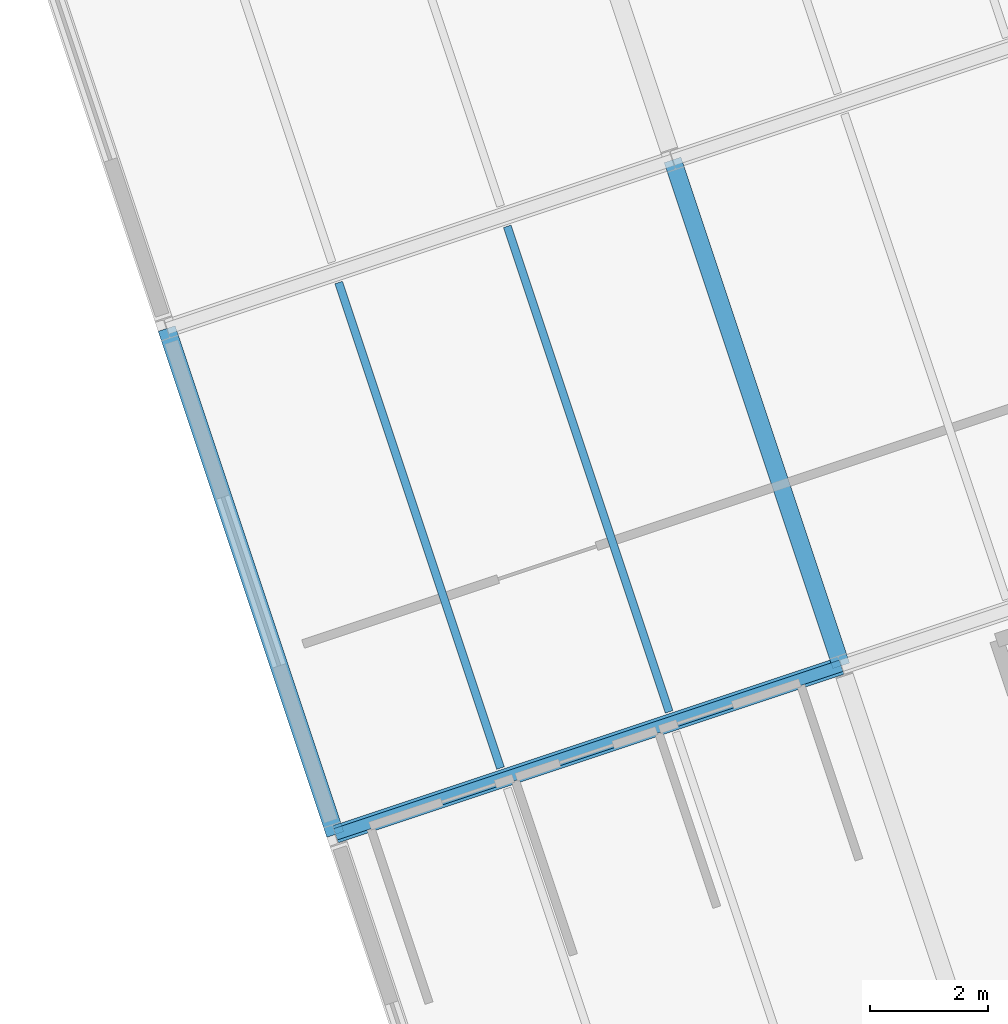
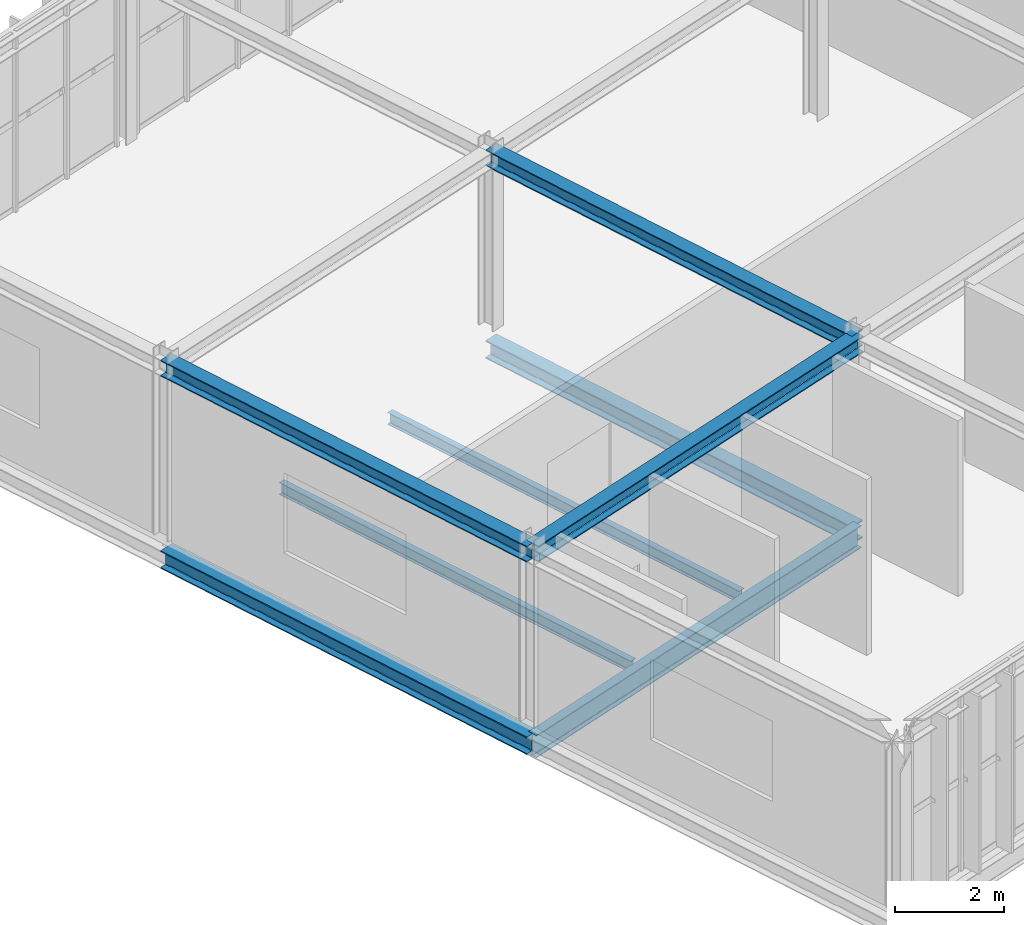
# One storey, part 8 of 61: 8 beams.
"""IFC4 building model written with IfcOpenShell, lengths in metres."""

import ifcopenshell
import ifcopenshell.guid

model = None  # the IFC model being written
_history = None  # IfcOwnerHistory: only IFC2X3 demands one
_inside = {}  # id of a spatial element -> (the spatial element, [elements in it])
_under = {}  # id of a project, library or spatial element -> (it, [spatial elements below it])
_declared = {}  # id of a project -> (the project, [libraries it declares])
_typed = {}  # id of a type object -> (the type object, [elements of that type])
_made_of = {}  # id of a material, layer set ... -> (it, [elements and type objects made of it])


def new_model(schema):
    """Start an empty IFC model of exactly this schema.

    Asked for "IFC4X3", IfcOpenShell would pick the latest addendum, in which some entities
    have other attributes; the version numbers below select the first issue.
    IFC2X3 requires an IfcOwnerHistory on every rooted entity: one is made here for all.
    """
    global model, _history
    if schema == "IFC4X3":
        model = ifcopenshell.file(schema_version=(4, 3, 0, 0))
    else:
        model = ifcopenshell.file(schema=schema)
    _inside.clear()
    _under.clear()
    _declared.clear()
    _typed.clear()
    _made_of.clear()
    _history = None
    if model.schema == "IFC2X3":
        org = make("IfcOrganization", Name="unknown")
        user = make(
            "IfcPersonAndOrganization",
            ThePerson=make("IfcPerson", FamilyName="unknown"),
            TheOrganization=org,
        )
        app = make(
            "IfcApplication",
            ApplicationDeveloper=org,
            Version="unknown",
            ApplicationFullName="unknown",
            ApplicationIdentifier="unknown",
        )
        _history = make(
            "IfcOwnerHistory",
            OwningUser=user,
            OwningApplication=app,
            ChangeAction="ADDED",
            CreationDate=0,
        )
    return model


def make(cls, **values):
    """One entity of the class cls with the attributes given. An attribute that is None is left unset."""
    return model.create_entity(
        cls, **{name: value for name, value in values.items() if value is not None}
    )


def rooted(cls, **values):
    """An entity with a GlobalId (a new one), such as an element, a storey or a relation."""
    return make(cls, GlobalId=ifcopenshell.guid.new(), OwnerHistory=_history, **values)


def si_unit(unit_type, name, prefix=None):
    """IfcSIUnit, for example si_unit("LENGTHUNIT", "METRE", prefix="MILLI")."""
    return make("IfcSIUnit", UnitType=unit_type, Prefix=prefix, Name=name)


def derived_unit(unit_type, elements):
    """IfcDerivedUnit: a product of units, each with its exponent."""
    return make(
        "IfcDerivedUnit",
        Elements=[
            make("IfcDerivedUnitElement", Unit=unit, Exponent=power)
            for unit, power in elements
        ],
        UnitType=unit_type,
    )


def assignment(units):
    """IfcUnitAssignment: the units of a project."""
    return None if units is None else make("IfcUnitAssignment", Units=units)


def point(xyz):
    """IfcCartesianPoint."""
    return None if xyz is None else make("IfcCartesianPoint", Coordinates=xyz)


def direction(xyz):
    """IfcDirection."""
    return None if xyz is None else make("IfcDirection", DirectionRatios=xyz)


def frame(location, z_axis=None, x_axis=None):
    """IfcAxis2Placement3D, a coordinate frame: its origin and axes. An axis left out is left unset."""
    return make(
        "IfcAxis2Placement3D",
        Location=point(location),
        Axis=direction(z_axis),
        RefDirection=direction(x_axis),
    )


def frame_2d(location, x_axis=None):
    """IfcAxis2Placement2D, a coordinate frame in the plane: its origin and x axis."""
    return make(
        "IfcAxis2Placement2D", Location=point(location), RefDirection=direction(x_axis)
    )


def origin():
    """The frame at (0, 0, 0) with its axes left unset."""
    return frame((0.0, 0.0, 0.0))


def origin_2d():
    """The frame at (0, 0) in the plane with its x axis left unset."""
    return frame_2d((0.0, 0.0))


def place(relative_to, where):
    """IfcLocalPlacement: puts the frame where relative to a parent placement (None: the world)."""
    return make(
        "IfcLocalPlacement", PlacementRelTo=relative_to, RelativePlacement=where
    )


def context(
    kind, dimensions, precision=None, world=None, true_north=None, identifier=None
):
    """IfcGeometricRepresentationContext, for example the 3D "Model" context."""
    return make(
        "IfcGeometricRepresentationContext",
        ContextIdentifier=identifier,
        ContextType=kind,
        CoordinateSpaceDimension=dimensions,
        Precision=precision,
        WorldCoordinateSystem=world,
        TrueNorth=true_north,
    )


def subcontext(parent, identifier, kind, view, scale=None):
    """IfcGeometricRepresentationSubContext, for example "Body" below "Model"."""
    return make(
        "IfcGeometricRepresentationSubContext",
        ContextIdentifier=identifier,
        ContextType=kind,
        ParentContext=parent,
        TargetScale=scale,
        TargetView=view,
    )


def project(units=None, contexts=None):
    """IfcProject with its units and contexts."""
    return rooted(
        "IfcProject",
        Name="project",
        RepresentationContexts=contexts,
        UnitsInContext=assignment(units),
    )


def spatial(cls, under=None, at=None, **own):
    """A site, building, storey or space (cls), placed at a placement, below another one or the project."""
    s = rooted(cls, ObjectPlacement=at, **own)
    if under is not None:
        _under.setdefault(under.id(), (under, []))[1].append(s)
    return s


def profile(cls, at=None, kind="AREA", **sizes):
    """A parametric profile (cls). Its sizes go by their IFC names, for example OverallWidth=200.0."""
    return make(cls, ProfileType=kind, Position=at, **sizes)


def i_section(**sizes):
    """IfcIShapeProfileDef."""
    return profile("IfcIShapeProfileDef", **sizes)


def extrude(swept, where, along, depth):
    """IfcExtrudedAreaSolid: the profile swept, set in the frame where, extruded along a direction by depth."""
    return make(
        "IfcExtrudedAreaSolid",
        SweptArea=swept,
        Position=where,
        ExtrudedDirection=direction(along),
        Depth=depth,
    )


def shape(context_of_items, identifier, shape_type, items):
    """IfcShapeRepresentation: the items that make up one representation, for example the "Body"."""
    return make(
        "IfcShapeRepresentation",
        ContextOfItems=context_of_items,
        RepresentationIdentifier=identifier,
        RepresentationType=shape_type,
        Items=items,
    )


def material(Name=None, Category=None):
    """IfcMaterial."""
    return make("IfcMaterial", Name=Name, Category=Category)


def material_profile(
    of_material, cross_section, Name=None, Category=None, Priority=None
):
    """IfcMaterialProfile: a cross section and its material."""
    return make(
        "IfcMaterialProfile",
        Name=Name,
        Material=of_material,
        Profile=cross_section,
        Priority=Priority,
        Category=Category,
    )


def profile_set(profiles, Name=None, composite=None):
    """IfcMaterialProfileSet."""
    return make(
        "IfcMaterialProfileSet",
        Name=Name,
        MaterialProfiles=profiles,
        CompositeProfile=composite,
    )


def made_of(thing, what):
    """Note that an element or type object is made of a material, layer set ...; save() writes the relation."""
    if what is not None:
        _made_of.setdefault(what.id(), (what, []))[1].append(thing)
    return thing


def type_object(cls, material=None, **own):
    """A type object (cls), such as IfcWallType, which elements share."""
    return made_of(rooted(cls, **own), material)


def element(
    cls,
    number,
    at=None,
    inside=None,
    cuts=None,
    type_object=None,
    material=None,
    context=None,
    identifier="Body",
    shape_type=None,
    held_by="IfcProductDefinitionShape",
    body=None,
    shapes=None,
    **own,
):
    """One element of the class cls, such as IfcWall. Its Tag is "e" and its number.

    at: its placement. inside: the storey or other place that contains it. cuts: it is an
    opening in that element (IfcRelVoidsElement). A single representation is given by context,
    identifier, shape_type and body (its items); several are given by shapes. held_by: the class
    of the entity that holds the representations. save() writes the other relations.
    """
    e = rooted(cls, Tag="e%d" % number, ObjectPlacement=at, **own)
    if body is not None:
        shapes = [shape(context, identifier, shape_type, body)]
    if shapes is not None:
        e.Representation = make(held_by, Representations=shapes)
    if inside is not None:
        _inside.setdefault(inside.id(), (inside, []))[1].append(e)
    if cuts is not None:
        rooted(
            "IfcRelVoidsElement", RelatingBuildingElement=cuts, RelatedOpeningElement=e
        )
    if type_object is not None:
        _typed.setdefault(type_object.id(), (type_object, []))[1].append(e)
    return made_of(e, material)


def aggregate(whole, parts):
    """IfcRelAggregates: a whole, such as a stair, and the parts it consists of."""
    return rooted("IfcRelAggregates", RelatingObject=whole, RelatedObjects=parts)


def save(model, path):
    """Write the relations noted so far, then the file.

    IfcRelAggregates (storeys below a building ...), IfcRelContainedInSpatialStructure (elements
    in a storey), IfcRelDefinesByType, IfcRelAssociatesMaterial and IfcRelDeclares: one each for
    every whole, place, type object, material and project.
    """
    for whole, parts in _under.values():
        aggregate(whole, parts)
    for where, things in _inside.values():
        rooted(
            "IfcRelContainedInSpatialStructure",
            RelatedElements=things,
            RelatingStructure=where,
        )
    for kind, things in _typed.values():
        rooted("IfcRelDefinesByType", RelatedObjects=things, RelatingType=kind)
    for what, things in _made_of.values():
        rooted("IfcRelAssociatesMaterial", RelatedObjects=things, RelatingMaterial=what)
    for by, libraries in _declared.values():
        rooted("IfcRelDeclares", RelatingContext=by, RelatedDefinitions=libraries)
    model.write(path)


model = new_model("IFC4")

# Units and contexts
model_context = context("Model", 3, precision=1e-05, world=origin(), true_north=direction((0.0, 1.0)))
body_context = subcontext(model_context, "Body", "Model", "MODEL_VIEW")
ifc_project = project(units=[si_unit("LENGTHUNIT", "METRE"), si_unit("AREAUNIT", "SQUARE_METRE"), si_unit("VOLUMEUNIT", "CUBIC_METRE"), si_unit("PLANEANGLEUNIT", "RADIAN"), si_unit("MASSUNIT", "GRAM", prefix="KILO"), si_unit("THERMODYNAMICTEMPERATUREUNIT", "KELVIN"), si_unit("TIMEUNIT", "SECOND"), derived_unit("THERMALTRANSMITTANCEUNIT", [(si_unit("MASSUNIT", "GRAM", prefix="KILO"), 1), (si_unit("THERMODYNAMICTEMPERATUREUNIT", "KELVIN"), -1), (si_unit("TIMEUNIT", "SECOND"), -3)])], contexts=[model_context])

# Site, building, storey
site_placement = place(None, origin())
site = spatial("IfcSite", under=ifc_project, at=site_placement, CompositionType="ELEMENT")
building_placement = place(site_placement, origin())
building = spatial("IfcBuilding", under=site, at=building_placement, Name="Cambertide Market Hall", CompositionType="ELEMENT")
storey_placement = place(building_placement, frame((0.0, 0.0, 9.89990234375)))
storey = spatial("IfcBuildingStorey", under=building, at=storey_placement, Name="L03", CompositionType="ELEMENT", Elevation=9.89990234375)

# Beams
ifc_material_1 = material(Name="Steel S355", Category="steel")
ifc_material_profile_1 = material_profile(ifc_material_1, i_section(OverallWidth=0.300048828125, OverallDepth=0.360107421875, WebThickness=0.012451171875, FlangeThickness=0.0224609375, FilletRadius=0.027099609375, at=origin_2d()), Name="HEB 360")
ifc_profile_set_1 = profile_set([ifc_material_profile_1], Name="Steel S355")
beam_type_1 = type_object("IfcBeamType", Name="Exterior Steel Girder HEB 360", PredefinedType="BEAM", material=ifc_profile_set_1)
beam_1_placement = place(storey_placement, frame((103.154052734375, 20.5380859375, 3.820068359375), z_axis=(0.948677872554, 0.31624404204, 0.0), x_axis=(-0.31624404204, 0.948677872554, 0.0)))
element("IfcBeam", 1, at=beam_1_placement, inside=storey, type_object=beam_type_1, Name="Level 3 Beam BM-V3U-RF-1-2", PredefinedType="BEAM", context=body_context, shape_type="SweptSolid", body=[
    extrude(i_section(OverallWidth=0.300048828125, OverallDepth=0.360107421875, WebThickness=0.012451171875, FlangeThickness=0.0224609375, FilletRadius=0.027099609375, at=origin_2d()), origin(), (0.0, 0.0, 1.0), 9.0),
])
beam_2_placement = place(storey_placement, frame((103.154052734375, 20.5380859375, 3.820068359375), z_axis=(-0.316235903831, 0.948680585407, 0.0), x_axis=(-0.948680585407, -0.316235903831, 0.0)))
element("IfcBeam", 2, at=beam_2_placement, inside=storey, type_object=beam_type_1, Name="Level 3 Beam BM-V3V-RF-1-2", PredefinedType="BEAM", context=body_context, shape_type="SweptSolid", body=[
    extrude(i_section(OverallWidth=0.300048828125, OverallDepth=0.360107421875, WebThickness=0.012451171875, FlangeThickness=0.0224609375, FilletRadius=0.027099609375, at=origin_2d()), origin(), (0.0, 0.0, 1.0), 9.000244140625),
])
beam_3_placement = place(storey_placement, frame((111.692138671875, 23.38427734375, 3.820068359375), z_axis=(-0.31624404204, 0.948677872554, 0.0), x_axis=(-0.948677872554, -0.31624404204, 0.0)))
element("IfcBeam", 3, at=beam_3_placement, inside=storey, type_object=beam_type_1, Name="Level 3 Beam BM-V3V-RF-2-2", PredefinedType="BEAM", context=body_context, shape_type="SweptSolid", body=[
    extrude(i_section(OverallWidth=0.300048828125, OverallDepth=0.360107421875, WebThickness=0.012451171875, FlangeThickness=0.0224609375, FilletRadius=0.027099609375, at=origin_2d()), origin(), (0.0, 0.0, 1.0), 9.0),
])
ifc_material_2 = material(Name="Steel S355", Category="steel")
ifc_material_profile_2 = material_profile(ifc_material_2, i_section(OverallWidth=0.300048828125, OverallDepth=0.39990234375, WebThickness=0.013427734375, FlangeThickness=0.02392578125, FilletRadius=0.027099609375, at=origin_2d()), Name="HEB 400")
ifc_profile_set_2 = profile_set([ifc_material_profile_2], Name="Steel S355")
beam_type_2 = type_object("IfcBeamType", Name="Steel Girder HEB 400", PredefinedType="BEAM", material=ifc_profile_set_2)
beam_4_placement = place(storey_placement, frame((103.154052734375, 20.5380859375, -0.474853515625), z_axis=(-0.316235903831, 0.948680585407, 0.0), x_axis=(-0.948680585407, -0.316235903831, 0.0)))
element("IfcBeam", 4, at=beam_4_placement, inside=storey, type_object=beam_type_2, Name="Level 3 Beam BM-V3V-L03-1-2", PredefinedType="BEAM", context=body_context, shape_type="SweptSolid", body=[
    extrude(i_section(OverallWidth=0.300048828125, OverallDepth=0.39990234375, WebThickness=0.013427734375, FlangeThickness=0.02392578125, FilletRadius=0.027099609375, at=origin_2d()), origin(), (0.0, 0.0, 1.0), 9.000244140625),
])
beam_5_placement = place(storey_placement, frame((111.692138671875, 23.38427734375, -0.474853515625), z_axis=(-0.31624404204, 0.948677872554, 0.0), x_axis=(-0.948677872554, -0.31624404204, 0.0)))
element("IfcBeam", 5, at=beam_5_placement, inside=storey, type_object=beam_type_2, Name="Level 3 Beam BM-V3V-L03-2-2", PredefinedType="BEAM", context=body_context, shape_type="SweptSolid", body=[
    extrude(i_section(OverallWidth=0.300048828125, OverallDepth=0.39990234375, WebThickness=0.013427734375, FlangeThickness=0.02392578125, FilletRadius=0.027099609375, at=origin_2d()), origin(), (0.0, 0.0, 1.0), 9.0),
])
ifc_material_3 = material(Name="Steel S355", Category="steel")
ifc_material_profile_3 = material_profile(ifc_material_3, i_section(OverallWidth=0.199951171875, OverallDepth=0.5, WebThickness=0.01025390625, FlangeThickness=0.01611328125, FilletRadius=0.02099609375, at=origin_2d()), Name="IPE 500")
ifc_profile_set_3 = profile_set([ifc_material_profile_3], Name="Steel S355")
beam_type_3 = type_object("IfcBeamType", Name="Steel Girder IPE 500", PredefinedType="BEAM", material=ifc_profile_set_3)
beam_6_placement = place(storey_placement, frame((103.154052734375, 20.5380859375, -0.52490234375), z_axis=(0.948677872554, 0.31624404204, 0.0), x_axis=(-0.31624404204, 0.948677872554, 0.0)))
element("IfcBeam", 6, at=beam_6_placement, inside=storey, type_object=beam_type_3, Name="Level 3 Beam BM-V3U-L03-1-2", PredefinedType="BEAM", context=body_context, shape_type="SweptSolid", body=[
    extrude(i_section(OverallWidth=0.199951171875, OverallDepth=0.5, WebThickness=0.01025390625, FlangeThickness=0.01611328125, FilletRadius=0.02099609375, at=origin_2d()), origin(), (0.0, 0.0, 1.0), 9.0),
])
ifc_material_4 = material(Name="Steel S275", Category="steel")
ifc_material_profile_4 = material_profile(ifc_material_4, i_section(OverallWidth=0.135009765625, OverallDepth=0.27001953125, WebThickness=0.006591796875, FlangeThickness=0.01025390625, FilletRadius=0.014892578125, at=origin_2d()), Name="IPE 270")
ifc_profile_set_4 = profile_set([ifc_material_profile_4], Name="Steel S275")
beam_type_4 = type_object("IfcBeamType", Name="Steel Secondary Joist IPE 270", PredefinedType="JOIST", material=ifc_profile_set_4)
beam_7_placement = place(storey_placement, frame((105.943115234375, 21.65771484375, -0.409912109375), z_axis=(-0.316227766017, 0.948683298051, 0.0), x_axis=(-0.948683298051, -0.316227766017, 0.0)))
element("IfcBeam", 7, at=beam_7_placement, inside=storey, type_object=beam_type_4, Name="Level 3 Joist JS-V3-L03-1-2-1", PredefinedType="JOIST", context=body_context, shape_type="SweptSolid", body=[
    extrude(i_section(OverallWidth=0.135009765625, OverallDepth=0.27001953125, WebThickness=0.006591796875, FlangeThickness=0.01025390625, FilletRadius=0.014892578125, at=origin_2d()), origin(), (0.0, 0.0, 1.0), 8.639892578125),
])
beam_8_placement = place(storey_placement, frame((108.7890625, 22.606201171875, -0.409912109375), z_axis=(-0.316219289033, 0.94868612367, 0.0), x_axis=(-0.94868612367, -0.316219289033, 0.0)))
element("IfcBeam", 8, at=beam_8_placement, inside=storey, type_object=beam_type_4, Name="Level 3 Joist JS-V3-L03-1-2-2", PredefinedType="JOIST", context=body_context, shape_type="SweptSolid", body=[
    extrude(i_section(OverallWidth=0.135009765625, OverallDepth=0.27001953125, WebThickness=0.006591796875, FlangeThickness=0.01025390625, FilletRadius=0.014892578125, at=origin_2d()), origin(), (0.0, 0.0, 1.0), 8.64013671875),
])

save(model, "model.ifc")
